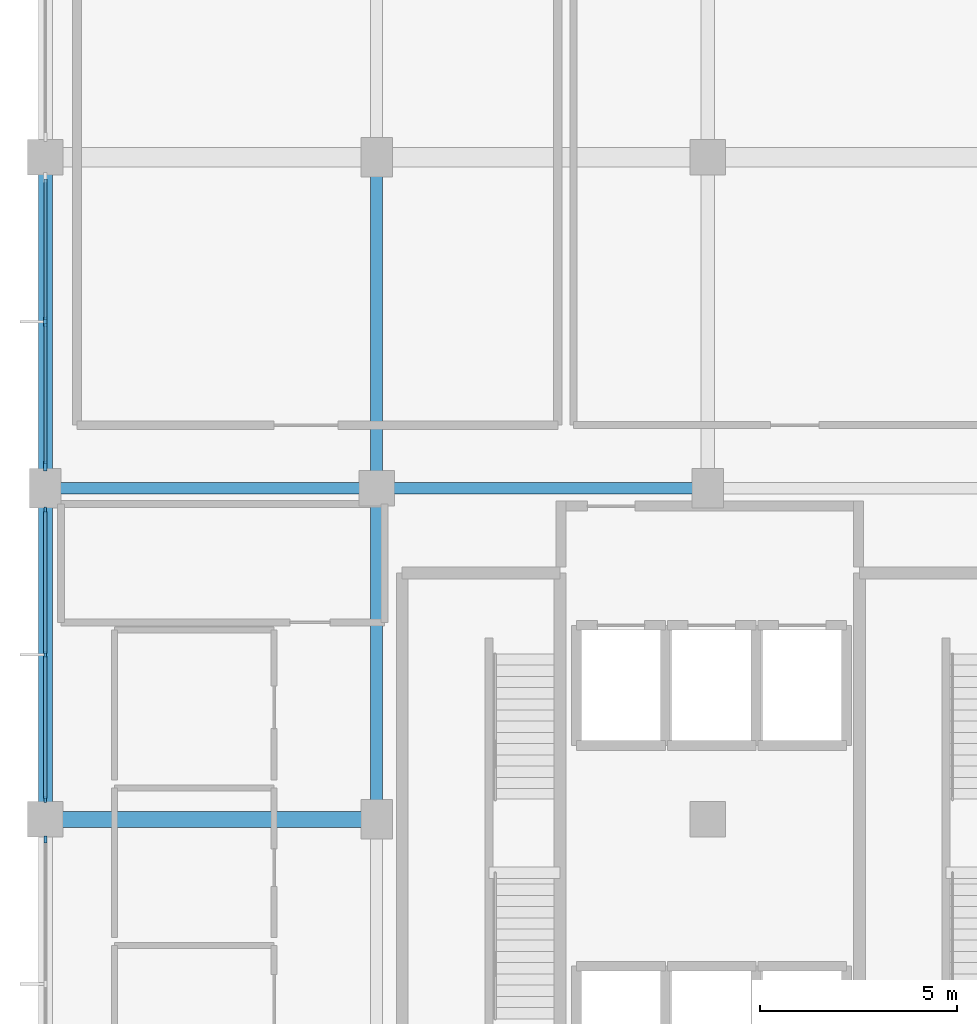
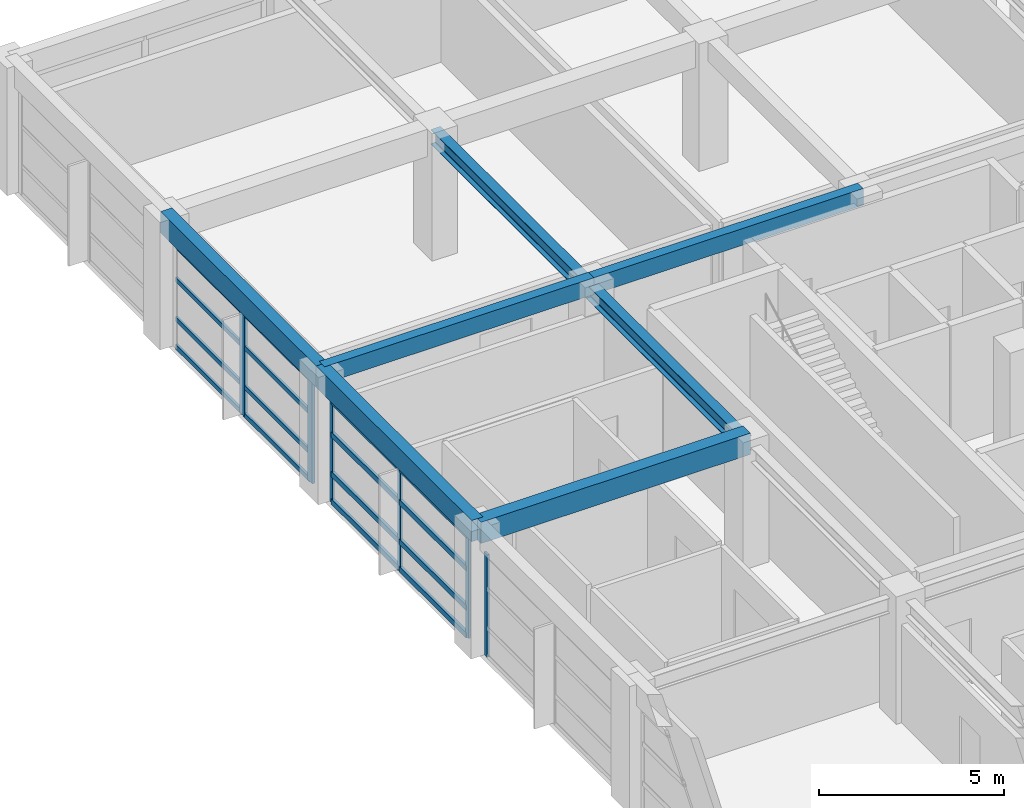
# One storey, part 4 of 12: 22 members, 7 beams, 3 elements without a shape of their own.
"""IFC4 building model written with IfcOpenShell, lengths in metres."""

from ifc_helpers import new_model, si_unit, direction, frame, origin, origin_2d, place, context, subcontext, project, spatial, rectangle, i_section, extrude, material, material_profile, profile_set, type_object, element, aggregate, save


model = new_model("IFC4")

# Units and contexts
model_context = context("Model", 3, precision=1e-05, world=origin(), true_north=direction((0.0, 1.0)))
body_context = subcontext(model_context, "Body", "Model", "MODEL_VIEW")
ifc_project = project(units=[si_unit("LENGTHUNIT", "METRE"), si_unit("AREAUNIT", "SQUARE_METRE"), si_unit("VOLUMEUNIT", "CUBIC_METRE"), si_unit("PLANEANGLEUNIT", "RADIAN"), si_unit("MASSUNIT", "GRAM", prefix="KILO")], contexts=[model_context])

# Site, building, storey
site_placement = place(None, origin())
site = spatial("IfcSite", under=ifc_project, at=site_placement, CompositionType="ELEMENT")
building_placement = place(site_placement, origin())
building = spatial("IfcBuilding", under=site, at=building_placement, Name="Xuanlan Plaza Opera House", CompositionType="ELEMENT")
storey_placement = place(building_placement, frame((0.0, 0.0, 65.699951171875)))
storey = spatial("IfcBuildingStorey", under=building, at=storey_placement, Name="L15", CompositionType="ELEMENT", Elevation=65.699951171875)

# Curtain wall, members
ifc_material_1 = material(Name="Anodised Aluminium 6063-T6 and Low-E Glass", Category="aluminium")
curtain_wall_type_1 = type_object("IfcCurtainWallType", Name="ENV-CW-CW-03", PredefinedType="USERDEFINED", material=ifc_material_1)
curtain_wall_1_placement = place(storey_placement, origin())
curtain_wall_1 = element("IfcCurtainWall", 1, at=curtain_wall_1_placement, inside=storey, type_object=curtain_wall_type_1, Name="Unitised Curtain Wall L15-014", ObjectType="UNITISED CURTAIN WALL", PredefinedType="USERDEFINED")
ifc_material_2 = material(Name="Anodised Aluminium 6063-T6", Category="aluminium")
ifc_material_profile_1 = material_profile(ifc_material_2, rectangle(XDim=0.06494140625, YDim=0.159912109375, at=origin_2d()), Name="ALU-M 65x160")
ifc_profile_set_1 = profile_set([ifc_material_profile_1], Name="Anodised Aluminium 6063-T6")
member_type_1 = type_object("IfcMemberType", Name="ENV-CWM-01", PredefinedType="MULLION", material=ifc_profile_set_1)
member_1_placement = place(storey_placement, frame((126.0, 66.6474609375, 0.0), z_axis=(0.0, 0.0, 1.0), x_axis=(1.0, 0.0, 0.0)))
member_1 = element("IfcMember", 2, at=member_1_placement, type_object=member_type_1, Name="CW-03 mullion 1", PredefinedType="MULLION", context=body_context, shape_type="SweptSolid", body=[
    extrude(rectangle(XDim=0.06494140625, YDim=0.159912109375, at=origin_2d()), origin(), (0.0, 0.0, 1.0), 3.380126953125),
])
member_2_placement = place(storey_placement, frame((126.0, 62.97509765625, 0.0), z_axis=(0.0, 0.0, 1.0), x_axis=(1.0, 0.0, 0.0)))
member_2 = element("IfcMember", 3, at=member_2_placement, type_object=member_type_1, Name="CW-03 mullion 2", PredefinedType="MULLION", context=body_context, shape_type="SweptSolid", body=[
    extrude(rectangle(XDim=0.06494140625, YDim=0.159912109375, at=origin_2d()), origin(), (0.0, 0.0, 1.0), 3.380126953125),
])
member_3_placement = place(storey_placement, frame((126.0, 59.302490234375, 0.0), z_axis=(0.0, 0.0, 1.0), x_axis=(1.0, 0.0, 0.0)))
member_3 = element("IfcMember", 4, at=member_3_placement, type_object=member_type_1, Name="CW-03 mullion 3", PredefinedType="MULLION", context=body_context, shape_type="SweptSolid", body=[
    extrude(rectangle(XDim=0.06494140625, YDim=0.159912109375, at=origin_2d()), origin(), (0.0, 0.0, 1.0), 3.380126953125),
])

# Curtain wall, member
curtain_wall_type_2 = type_object("IfcCurtainWallType", Name="ENV-CW-CW-04", PredefinedType="USERDEFINED", material=ifc_material_1)
curtain_wall_2_placement = place(storey_placement, origin())
curtain_wall_2 = element("IfcCurtainWall", 5, at=curtain_wall_2_placement, inside=storey, type_object=curtain_wall_type_2, Name="Unitised Curtain Wall L15-015", ObjectType="UNITISED CURTAIN WALL", PredefinedType="USERDEFINED")
ifc_material_profile_2 = material_profile(ifc_material_2, rectangle(XDim=0.070068359375, YDim=0.179931640625, at=origin_2d()), Name="ALU-M 70x180")
ifc_profile_set_2 = profile_set([ifc_material_profile_2], Name="Anodised Aluminium 6063-T6")
member_type_2 = type_object("IfcMemberType", Name="ENV-CWM-02", PredefinedType="MULLION", material=ifc_profile_set_2)
member_4_placement = place(storey_placement, frame((126.0, 58.294921875, 0.0), z_axis=(0.0, 0.0, 1.0), x_axis=(1.0, 0.0, 0.0)))
member_4 = element("IfcMember", 6, at=member_4_placement, type_object=member_type_2, Name="CW-04 mullion 1", PredefinedType="MULLION", context=body_context, shape_type="SweptSolid", body=[
    extrude(rectangle(XDim=0.070068359375, YDim=0.179931640625, at=origin_2d()), origin(), (0.0, 0.0, 1.0), 3.380126953125),
])
aggregate(curtain_wall_2, [member_4])

# Curtain wall, members
curtain_wall_type_3 = type_object("IfcCurtainWallType", Name="ENV-CW-CW-02", PredefinedType="USERDEFINED", material=ifc_material_1)
curtain_wall_3_placement = place(storey_placement, origin())
curtain_wall_3 = element("IfcCurtainWall", 7, at=curtain_wall_3_placement, inside=storey, type_object=curtain_wall_type_3, Name="Unitised Curtain Wall L15-013", ObjectType="UNITISED CURTAIN WALL", PredefinedType="USERDEFINED")
ifc_material_profile_3 = material_profile(ifc_material_2, rectangle(XDim=0.090087890625, YDim=0.25, at=origin_2d()), Name="ALU-M 90x250")
ifc_profile_set_3 = profile_set([ifc_material_profile_3], Name="Anodised Aluminium 6063-T6")
member_type_3 = type_object("IfcMemberType", Name="ENV-CWM-05", PredefinedType="MULLION", material=ifc_profile_set_3)
member_5_placement = place(storey_placement, frame((126.0, 71.425048828125, 0.0), z_axis=(0.0, 0.0, 1.0), x_axis=(1.0, 0.0, 0.0)))
member_5 = element("IfcMember", 8, at=member_5_placement, type_object=member_type_3, Name="CW-02 mullion 2", PredefinedType="MULLION", context=body_context, shape_type="SweptSolid", body=[
    extrude(rectangle(XDim=0.090087890625, YDim=0.25, at=origin_2d()), origin(), (0.0, 0.0, 1.0), 3.380126953125),
])
member_6_placement = place(storey_placement, frame((126.0, 67.764892578125, 0.0), z_axis=(0.0, 0.0, 1.0), x_axis=(1.0, 0.0, 0.0)))
member_6 = element("IfcMember", 9, at=member_6_placement, type_object=member_type_3, Name="CW-02 mullion 3", PredefinedType="MULLION", context=body_context, shape_type="SweptSolid", body=[
    extrude(rectangle(XDim=0.090087890625, YDim=0.25, at=origin_2d()), origin(), (0.0, 0.0, 1.0), 3.380126953125),
])
ifc_material_profile_4 = material_profile(ifc_material_2, rectangle(XDim=0.074951171875, YDim=0.14990234375, at=origin_2d()), Name="ALU-T 75x150")
ifc_profile_set_4 = profile_set([ifc_material_profile_4], Name="Anodised Aluminium 6063-T6")
member_type_4 = type_object("IfcMemberType", Name="ENV-CWT-03", PredefinedType="USERDEFINED", material=ifc_profile_set_4)
member_7_placement = place(storey_placement, frame((126.0, 75.0400390625, 0.03759765625), z_axis=(0.0, -1.0, 0.0), x_axis=(1.0, 0.0, 0.0)))
member_7 = element("IfcMember", 10, at=member_7_placement, type_object=member_type_4, Name="CW-02 transom 1.1", ObjectType="TRANSOM", PredefinedType="USERDEFINED", context=body_context, shape_type="SweptSolid", body=[
    extrude(rectangle(XDim=0.074951171875, YDim=0.14990234375, at=origin_2d()), origin(), (0.0, 0.0, 1.0), 3.570068359375),
])
member_8_placement = place(storey_placement, frame((126.0, 75.0400390625, 0.949951171875), z_axis=(0.0, -1.0, 0.0), x_axis=(1.0, 0.0, 0.0)))
member_8 = element("IfcMember", 11, at=member_8_placement, type_object=member_type_4, Name="CW-02 transom 1.2", ObjectType="TRANSOM", PredefinedType="USERDEFINED", context=body_context, shape_type="SweptSolid", body=[
    extrude(rectangle(XDim=0.074951171875, YDim=0.14990234375, at=origin_2d()), origin(), (0.0, 0.0, 1.0), 3.570068359375),
])
member_9_placement = place(storey_placement, frame((126.0, 75.0400390625, 2.25), z_axis=(0.0, -1.0, 0.0), x_axis=(1.0, 0.0, 0.0)))
member_9 = element("IfcMember", 12, at=member_9_placement, type_object=member_type_4, Name="CW-02 transom 1.3", ObjectType="TRANSOM", PredefinedType="USERDEFINED", context=body_context, shape_type="SweptSolid", body=[
    extrude(rectangle(XDim=0.074951171875, YDim=0.14990234375, at=origin_2d()), origin(), (0.0, 0.0, 1.0), 3.570068359375),
])
member_10_placement = place(storey_placement, frame((126.0, 75.0400390625, 3.342529296875), z_axis=(0.0, -1.0, 0.0), x_axis=(1.0, 0.0, 0.0)))
member_10 = element("IfcMember", 13, at=member_10_placement, type_object=member_type_4, Name="CW-02 transom 1.4", ObjectType="TRANSOM", PredefinedType="USERDEFINED", context=body_context, shape_type="SweptSolid", body=[
    extrude(rectangle(XDim=0.074951171875, YDim=0.14990234375, at=origin_2d()), origin(), (0.0, 0.0, 1.0), 3.570068359375),
])
member_11_placement = place(storey_placement, frame((126.0, 71.3798828125, 0.03759765625), z_axis=(0.0, -1.0, 0.0), x_axis=(1.0, 0.0, 0.0)))
member_11 = element("IfcMember", 14, at=member_11_placement, type_object=member_type_4, Name="CW-02 transom 2.1", ObjectType="TRANSOM", PredefinedType="USERDEFINED", context=body_context, shape_type="SweptSolid", body=[
    extrude(rectangle(XDim=0.074951171875, YDim=0.14990234375, at=origin_2d()), origin(), (0.0, 0.0, 1.0), 3.56982421875),
])
member_12_placement = place(storey_placement, frame((126.0, 71.3798828125, 0.949951171875), z_axis=(0.0, -1.0, 0.0), x_axis=(1.0, 0.0, 0.0)))
member_12 = element("IfcMember", 15, at=member_12_placement, type_object=member_type_4, Name="CW-02 transom 2.2", ObjectType="TRANSOM", PredefinedType="USERDEFINED", context=body_context, shape_type="SweptSolid", body=[
    extrude(rectangle(XDim=0.074951171875, YDim=0.14990234375, at=origin_2d()), origin(), (0.0, 0.0, 1.0), 3.56982421875),
])
member_13_placement = place(storey_placement, frame((126.0, 71.3798828125, 2.25), z_axis=(0.0, -1.0, 0.0), x_axis=(1.0, 0.0, 0.0)))
member_13 = element("IfcMember", 16, at=member_13_placement, type_object=member_type_4, Name="CW-02 transom 2.3", ObjectType="TRANSOM", PredefinedType="USERDEFINED", context=body_context, shape_type="SweptSolid", body=[
    extrude(rectangle(XDim=0.074951171875, YDim=0.14990234375, at=origin_2d()), origin(), (0.0, 0.0, 1.0), 3.56982421875),
])
member_14_placement = place(storey_placement, frame((126.0, 71.3798828125, 3.342529296875), z_axis=(0.0, -1.0, 0.0), x_axis=(1.0, 0.0, 0.0)))
member_14 = element("IfcMember", 17, at=member_14_placement, type_object=member_type_4, Name="CW-02 transom 2.4", ObjectType="TRANSOM", PredefinedType="USERDEFINED", context=body_context, shape_type="SweptSolid", body=[
    extrude(rectangle(XDim=0.074951171875, YDim=0.14990234375, at=origin_2d()), origin(), (0.0, 0.0, 1.0), 3.56982421875),
])
aggregate(curtain_wall_3, [member_5, member_6, member_7, member_8, member_9, member_10, member_11, member_12, member_13, member_14])

# Member
ifc_material_profile_5 = material_profile(ifc_material_2, rectangle(XDim=0.090087890625, YDim=0.179931640625, at=origin_2d()), Name="ALU-T 90x180")
ifc_profile_set_5 = profile_set([ifc_material_profile_5], Name="Anodised Aluminium 6063-T6")
member_type_5 = type_object("IfcMemberType", Name="ENV-CWT-05", PredefinedType="USERDEFINED", material=ifc_profile_set_5)
member_15_placement = place(storey_placement, frame((126.0, 66.614990234375, 0.045166015625), z_axis=(0.0, -1.0, 0.0), x_axis=(1.0, 0.0, 0.0)))
member_15 = element("IfcMember", 18, at=member_15_placement, type_object=member_type_5, Name="CW-03 transom 1.1", ObjectType="TRANSOM", PredefinedType="USERDEFINED", context=body_context, shape_type="SweptSolid", body=[
    extrude(rectangle(XDim=0.090087890625, YDim=0.179931640625, at=origin_2d()), origin(), (0.0, 0.0, 1.0), 3.607421875),
])

member_16_placement = place(storey_placement, frame((126.0, 66.614990234375, 0.949951171875), z_axis=(0.0, -1.0, 0.0), x_axis=(1.0, 0.0, 0.0)))
member_16 = element("IfcMember", 19, at=member_16_placement, type_object=member_type_5, Name="CW-03 transom 1.2", ObjectType="TRANSOM", PredefinedType="USERDEFINED", context=body_context, shape_type="SweptSolid", body=[
    extrude(rectangle(XDim=0.090087890625, YDim=0.179931640625, at=origin_2d()), origin(), (0.0, 0.0, 1.0), 3.607421875),
])

member_17_placement = place(storey_placement, frame((126.0, 66.614990234375, 2.25), z_axis=(0.0, -1.0, 0.0), x_axis=(1.0, 0.0, 0.0)))
member_17 = element("IfcMember", 20, at=member_17_placement, type_object=member_type_5, Name="CW-03 transom 1.3", ObjectType="TRANSOM", PredefinedType="USERDEFINED", context=body_context, shape_type="SweptSolid", body=[
    extrude(rectangle(XDim=0.090087890625, YDim=0.179931640625, at=origin_2d()), origin(), (0.0, 0.0, 1.0), 3.607421875),
])

member_18_placement = place(storey_placement, frame((126.0, 66.614990234375, 3.3349609375), z_axis=(0.0, -1.0, 0.0), x_axis=(1.0, 0.0, 0.0)))
member_18 = element("IfcMember", 21, at=member_18_placement, type_object=member_type_5, Name="CW-03 transom 1.4", ObjectType="TRANSOM", PredefinedType="USERDEFINED", context=body_context, shape_type="SweptSolid", body=[
    extrude(rectangle(XDim=0.090087890625, YDim=0.179931640625, at=origin_2d()), origin(), (0.0, 0.0, 1.0), 3.607421875),
])

member_19_placement = place(storey_placement, frame((126.0, 62.9423828125, 0.045166015625), z_axis=(0.0, -1.0, 0.0), x_axis=(1.0, 0.0, 0.0)))
member_19 = element("IfcMember", 22, at=member_19_placement, type_object=member_type_5, Name="CW-03 transom 2.1", ObjectType="TRANSOM", PredefinedType="USERDEFINED", context=body_context, shape_type="SweptSolid", body=[
    extrude(rectangle(XDim=0.090087890625, YDim=0.179931640625, at=origin_2d()), origin(), (0.0, 0.0, 1.0), 3.607421875),
])

member_20_placement = place(storey_placement, frame((126.0, 62.9423828125, 0.949951171875), z_axis=(0.0, -1.0, 0.0), x_axis=(1.0, 0.0, 0.0)))
member_20 = element("IfcMember", 23, at=member_20_placement, type_object=member_type_5, Name="CW-03 transom 2.2", ObjectType="TRANSOM", PredefinedType="USERDEFINED", context=body_context, shape_type="SweptSolid", body=[
    extrude(rectangle(XDim=0.090087890625, YDim=0.179931640625, at=origin_2d()), origin(), (0.0, 0.0, 1.0), 3.607421875),
])

member_21_placement = place(storey_placement, frame((126.0, 62.9423828125, 2.25), z_axis=(0.0, -1.0, 0.0), x_axis=(1.0, 0.0, 0.0)))
member_21 = element("IfcMember", 24, at=member_21_placement, type_object=member_type_5, Name="CW-03 transom 2.3", ObjectType="TRANSOM", PredefinedType="USERDEFINED", context=body_context, shape_type="SweptSolid", body=[
    extrude(rectangle(XDim=0.090087890625, YDim=0.179931640625, at=origin_2d()), origin(), (0.0, 0.0, 1.0), 3.607421875),
])

member_22_placement = place(storey_placement, frame((126.0, 62.9423828125, 3.3349609375), z_axis=(0.0, -1.0, 0.0), x_axis=(1.0, 0.0, 0.0)))
member_22 = element("IfcMember", 25, at=member_22_placement, type_object=member_type_5, Name="CW-03 transom 2.4", ObjectType="TRANSOM", PredefinedType="USERDEFINED", context=body_context, shape_type="SweptSolid", body=[
    extrude(rectangle(XDim=0.090087890625, YDim=0.179931640625, at=origin_2d()), origin(), (0.0, 0.0, 1.0), 3.607421875),
])

aggregate(curtain_wall_1, [member_1, member_2, member_3, member_15, member_16, member_17, member_18, member_19, member_20, member_21, member_22])

# Beams
ifc_material_3 = material(Name="Concrete C40", Category="concrete")
ifc_material_profile_6 = material_profile(ifc_material_3, rectangle(XDim=0.39990234375, YDim=0.699951171875, at=origin_2d()), Name="RC-BM 400x700")
ifc_profile_set_6 = profile_set([ifc_material_profile_6], Name="Concrete C40")
beam_type_1 = type_object("IfcBeamType", Name="STR-BM-B-07", PredefinedType="BEAM", material=ifc_profile_set_6)
beam_1_placement = place(storey_placement, frame((126.0, 58.800048828125, 3.85009765625), z_axis=(1.0, 0.0, 0.0), x_axis=(0.0, 1.0, 0.0)))
element("IfcBeam", 26, at=beam_1_placement, inside=storey, type_object=beam_type_1, Name="Grid Beam X L15 16-17/H", PredefinedType="BEAM", context=body_context, shape_type="SweptSolid", body=[
    extrude(rectangle(XDim=0.39990234375, YDim=0.699951171875, at=origin_2d()), origin(), (0.0, 0.0, 1.0), 8.39990234375),
])
ifc_material_profile_7 = material_profile(ifc_material_3, rectangle(XDim=0.300048828125, YDim=0.550048828125, at=origin_2d()), Name="RC-BM 300x550")
ifc_profile_set_7 = profile_set([ifc_material_profile_7], Name="Concrete C40")
beam_type_2 = type_object("IfcBeamType", Name="STR-BM-B-09", PredefinedType="BEAM", material=ifc_profile_set_7)
beam_2_placement = place(storey_placement, frame((126.0, 67.199951171875, 3.925048828125), z_axis=(1.0, 0.0, 0.0), x_axis=(0.0, 1.0, 0.0)))
element("IfcBeam", 27, at=beam_2_placement, inside=storey, type_object=beam_type_2, Name="Grid Beam X L15 16-17/I", PredefinedType="BEAM", context=body_context, shape_type="SweptSolid", body=[
    extrude(rectangle(XDim=0.300048828125, YDim=0.550048828125, at=origin_2d()), origin(), (0.0, 0.0, 1.0), 8.39990234375),
])
beam_3_placement = place(storey_placement, frame((134.39990234375, 67.199951171875, 3.925048828125), z_axis=(1.0, 0.0, 0.0), x_axis=(0.0, 1.0, 0.0)))
element("IfcBeam", 28, at=beam_3_placement, inside=storey, type_object=beam_type_2, Name="Grid Beam X L15 17-18/I", PredefinedType="BEAM", context=body_context, shape_type="SweptSolid", body=[
    extrude(rectangle(XDim=0.300048828125, YDim=0.550048828125, at=origin_2d()), origin(), (0.0, 0.0, 1.0), 8.400146484375),
])
ifc_material_4 = material(Name="Steel Q355B", Category="steel")
ifc_material_profile_8 = material_profile(ifc_material_4, i_section(OverallWidth=0.300048828125, OverallDepth=0.488037109375, WebThickness=0.010986328125, FlangeThickness=0.01806640625, FilletRadius=0.02197265625, at=origin_2d()), Name="HM 488x300x11x18")
ifc_profile_set_8 = profile_set([ifc_material_profile_8], Name="Steel Q355B")
beam_type_3 = type_object("IfcBeamType", Name="STR-BM-SB-07", PredefinedType="BEAM", material=ifc_profile_set_8)
beam_4_placement = place(storey_placement, frame((134.39990234375, 58.800048828125, 3.7109375), z_axis=(0.0, 1.0, 0.0), x_axis=(-1.0, 0.0, 0.0)))
element("IfcBeam", 29, at=beam_4_placement, inside=storey, type_object=beam_type_3, Name="Grid Beam Y L15 17/H-I", PredefinedType="BEAM", context=body_context, shape_type="SweptSolid", body=[
    extrude(i_section(OverallWidth=0.300048828125, OverallDepth=0.488037109375, WebThickness=0.010986328125, FlangeThickness=0.01806640625, FilletRadius=0.02197265625, at=origin_2d()), origin(), (0.0, 0.0, 1.0), 8.39990234375),
])
beam_5_placement = place(storey_placement, frame((134.39990234375, 67.199951171875, 3.7109375), z_axis=(0.0, 1.0, 0.0), x_axis=(-1.0, 0.0, 0.0)))
element("IfcBeam", 30, at=beam_5_placement, inside=storey, type_object=beam_type_3, Name="Grid Beam Y L15 17/I-J", PredefinedType="BEAM", context=body_context, shape_type="SweptSolid", body=[
    extrude(i_section(OverallWidth=0.300048828125, OverallDepth=0.488037109375, WebThickness=0.010986328125, FlangeThickness=0.01806640625, FilletRadius=0.02197265625, at=origin_2d()), origin(), (0.0, 0.0, 1.0), 8.400146484375),
])
ifc_material_profile_9 = material_profile(ifc_material_3, rectangle(XDim=0.35009765625, YDim=0.699951171875, at=origin_2d()), Name="RC-SPD 350x700")
ifc_profile_set_9 = profile_set([ifc_material_profile_9], Name="Concrete C40")
beam_type_4 = type_object("IfcBeamType", Name="STR-BM-SP-02", PredefinedType="SPANDREL", material=ifc_profile_set_9)
beam_6_placement = place(storey_placement, frame((126.0, 58.800048828125, 3.85009765625), z_axis=(0.0, 1.0, 0.0), x_axis=(-1.0, 0.0, 0.0)))
element("IfcBeam", 31, at=beam_6_placement, inside=storey, type_object=beam_type_4, Name="Grid Beam Y L15 16/H-I", PredefinedType="SPANDREL", context=body_context, shape_type="SweptSolid", body=[
    extrude(rectangle(XDim=0.35009765625, YDim=0.699951171875, at=origin_2d()), origin(), (0.0, 0.0, 1.0), 8.39990234375),
])
beam_7_placement = place(storey_placement, frame((126.0, 67.199951171875, 3.85009765625), z_axis=(0.0, 1.0, 0.0), x_axis=(-1.0, 0.0, 0.0)))
element("IfcBeam", 32, at=beam_7_placement, inside=storey, type_object=beam_type_4, Name="Grid Beam Y L15 16/I-J", PredefinedType="SPANDREL", context=body_context, shape_type="SweptSolid", body=[
    extrude(rectangle(XDim=0.35009765625, YDim=0.699951171875, at=origin_2d()), origin(), (0.0, 0.0, 1.0), 8.400146484375),
])

save(model, "model.ifc")
